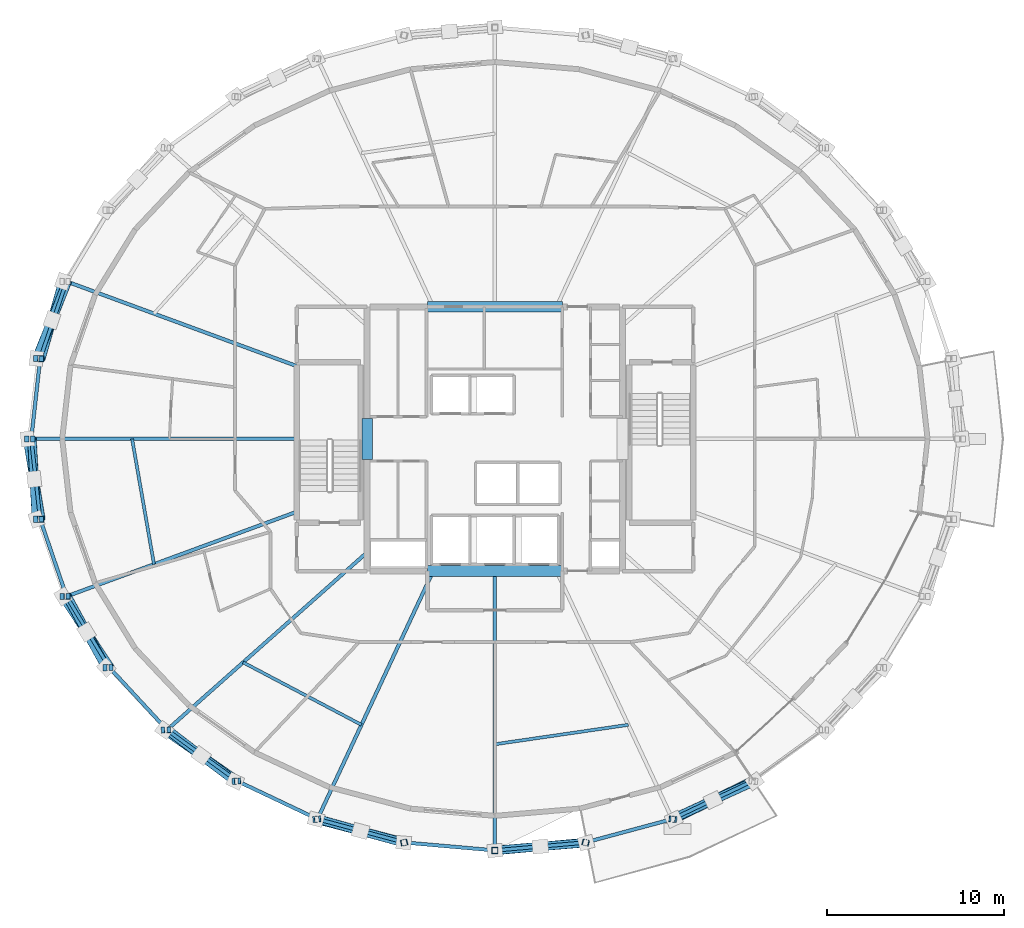
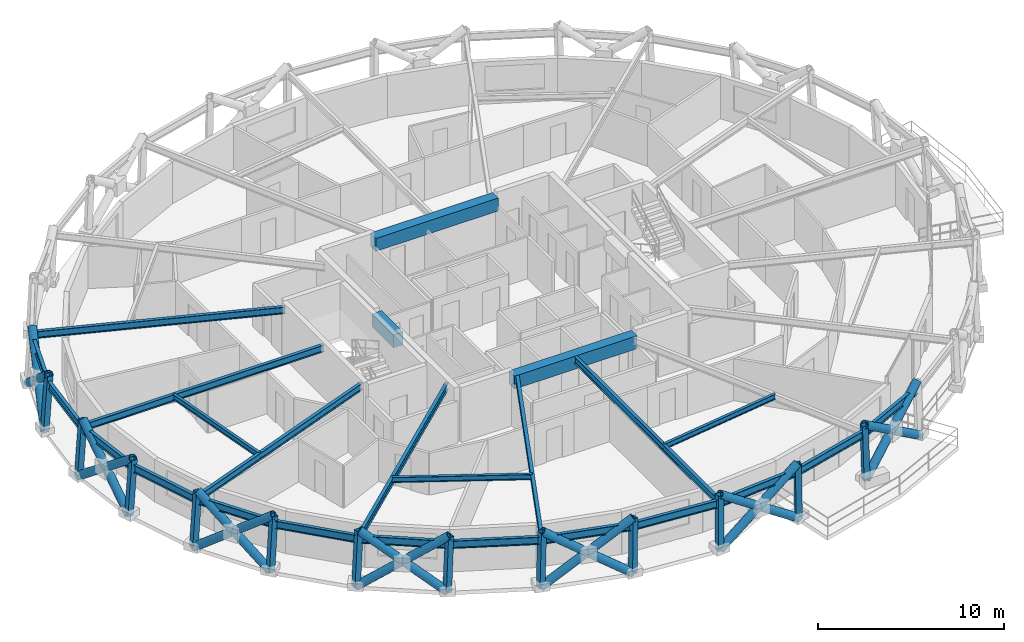
# One storey, part 1 of 14: 33 members, 25 beams.
"""IFC4 building model written with IfcOpenShell, lengths in metres."""

from ifc_helpers import new_model, si_unit, direction, frame, origin, origin_2d, place, context, subcontext, project, spatial, rectangle, hollow_rectangle, hollow_circle, i_section, extrude, material, material_profile, profile_set, type_object, element, save


model = new_model("IFC4")

# Units and contexts
model_context = context("Model", 3, precision=1e-05, world=origin(), true_north=direction((0.0, 1.0)))
body_context = subcontext(model_context, "Body", "Model", "MODEL_VIEW")
ifc_project = project(units=[si_unit("LENGTHUNIT", "METRE"), si_unit("AREAUNIT", "SQUARE_METRE"), si_unit("VOLUMEUNIT", "CUBIC_METRE"), si_unit("PLANEANGLEUNIT", "RADIAN"), si_unit("MASSUNIT", "GRAM", prefix="KILO")], contexts=[model_context])

# Site, building, storey
site_placement = place(None, origin())
site = spatial("IfcSite", under=ifc_project, at=site_placement, CompositionType="ELEMENT")
building_placement = place(site_placement, origin())
building = spatial("IfcBuilding", under=site, at=building_placement, Name="Veldorina Hangang Commons", CompositionType="ELEMENT")
storey_placement = place(building_placement, frame((0.0, 0.0, 200.0)))
storey = spatial("IfcBuildingStorey", under=building, at=storey_placement, Name="L52", CompositionType="ELEMENT", Elevation=200.0)

# Beams
ifc_material_1 = material(Name="Concrete C60/75", Category="concrete")
ifc_material_profile_1 = material_profile(ifc_material_1, rectangle(XDim=0.60009765625, YDim=0.85009765625, at=origin_2d()), Name="RC-CB-600x850")
ifc_profile_set_1 = profile_set([ifc_material_profile_1], Name="Concrete C60/75")
beam_type_1 = type_object("IfcBeamType", Name="BM-CB850", PredefinedType="LINTEL", material=ifc_profile_set_1)
beam_1_placement = place(storey_placement, frame((24.800048828125, 22.85009765625, 2.875), z_axis=(0.0, 1.0, 0.0), x_axis=(-1.0, 0.0, 0.0)))
element("IfcBeam", 1, at=beam_1_placement, inside=storey, type_object=beam_type_1, Name="L52 W core coupling lintel beam", PredefinedType="LINTEL", context=body_context, shape_type="SweptSolid", body=[
    extrude(rectangle(XDim=0.60009765625, YDim=0.85009765625, at=origin_2d()), origin(), (0.0, 0.0, 1.0), 2.2998046875),
])
for number, where, z_axis, x_axis, name in (
    (2, (28.199951171875, 16.550048828125, 2.875), (1.0, 0.0, 0.0), (0.0, 1.0, 0.0), "L52 south core coupling beam"),
    (3, (28.199951171875, 31.449951171875, 2.875), (1.0, 0.0, 0.0), (0.0, 1.0, 0.0), "L52 north core coupling beam"),
):
    element("IfcBeam", number, at=place(storey_placement, frame(where, z_axis=z_axis, x_axis=x_axis)), inside=storey, type_object=beam_type_1, Name=name, PredefinedType="LINTEL", context=body_context, shape_type="SweptSolid", body=[
        extrude(rectangle(XDim=0.60009765625, YDim=0.85009765625, at=origin_2d()), origin(), (0.0, 0.0, 1.0), 7.60009765625),
    ])
ifc_material_2 = material(Name="Steel SM355-TMC", Category="steel")
ifc_material_profile_2 = material_profile(ifc_material_2, i_section(OverallWidth=0.199951171875, OverallDepth=0.449951171875, WebThickness=0.009033203125, FlangeThickness=0.013916015625, FilletRadius=0.01611328125, at=origin_2d()), Name="H-450x200x9x14")
ifc_profile_set_2 = profile_set([ifc_material_profile_2], Name="Steel SM355-TMC")
beam_type_2 = type_object("IfcBeamType", Name="BM-FG450", PredefinedType="BEAM", material=ifc_profile_set_2)
beam_2_placement = place(storey_placement, frame((20.820068359375, 28.110107421875, 3.074951171875), z_axis=(-0.938582002063, 0.345056264113, 0.0), x_axis=(-0.345056264113, -0.938582002063, 0.0)))
element("IfcBeam", 4, at=beam_2_placement, inside=storey, type_object=beam_type_2, Name="L52 radial floor girder 08", PredefinedType="BEAM", context=body_context, shape_type="SweptSolid", body=[
    extrude(i_section(OverallWidth=0.199951171875, OverallDepth=0.449951171875, WebThickness=0.009033203125, FlangeThickness=0.013916015625, FilletRadius=0.01611328125, at=origin_2d()), origin(), (0.0, 0.0, 1.0), 13.823974609375),
])
beam_3_placement = place(storey_placement, frame((20.820068359375, 24.0, 3.074951171875), z_axis=(-1.0, 0.0, 0.0), x_axis=(0.0, -1.0, 0.0)))
element("IfcBeam", 5, at=beam_3_placement, inside=storey, type_object=beam_type_2, Name="L52 radial floor girder 09", PredefinedType="BEAM", context=body_context, shape_type="SweptSolid", body=[
    extrude(i_section(OverallWidth=0.199951171875, OverallDepth=0.449951171875, WebThickness=0.009033203125, FlangeThickness=0.013916015625, FilletRadius=0.01611328125, at=origin_2d()), origin(), (0.0, 0.0, 1.0), 14.965087890625),
])
beam_4_placement = place(storey_placement, frame((20.820068359375, 19.889892578125, 3.074951171875), z_axis=(-0.938582002063, -0.345056264113, 0.0), x_axis=(0.345056264113, -0.938582002063, 0.0)))
element("IfcBeam", 6, at=beam_4_placement, inside=storey, type_object=beam_type_2, Name="L52 radial floor girder 10", PredefinedType="BEAM", context=body_context, shape_type="SweptSolid", body=[
    extrude(i_section(OverallWidth=0.199951171875, OverallDepth=0.449951171875, WebThickness=0.009033203125, FlangeThickness=0.013916015625, FilletRadius=0.01611328125, at=origin_2d()), origin(), (0.0, 0.0, 1.0), 13.823974609375),
])
beam_5_placement = place(storey_placement, frame((24.800048828125, 17.609619140625, 3.074951171875), z_axis=(-0.747915165692, -0.663794324267, 0.0), x_axis=(0.663794324267, -0.747915165692, 0.0)))
element("IfcBeam", 7, at=beam_5_placement, inside=storey, type_object=beam_type_2, Name="L52 radial floor girder 11", PredefinedType="BEAM", context=body_context, shape_type="SweptSolid", body=[
    extrude(i_section(OverallWidth=0.199951171875, OverallDepth=0.449951171875, WebThickness=0.009033203125, FlangeThickness=0.013916015625, FilletRadius=0.01611328125, at=origin_2d()), origin(), (0.0, 0.0, 1.0), 15.091796875),
])
beam_6_placement = place(storey_placement, frame((28.523193359375, 16.550048828125, 3.074951171875), z_axis=(-0.422916633898, -0.906168594011, 0.0), x_axis=(0.906168594011, -0.422916633898, 0.0)))
element("IfcBeam", 8, at=beam_6_placement, inside=storey, type_object=beam_type_2, Name="L52 radial floor girder 12", PredefinedType="BEAM", context=body_context, shape_type="SweptSolid", body=[
    extrude(i_section(OverallWidth=0.199951171875, OverallDepth=0.449951171875, WebThickness=0.009033203125, FlangeThickness=0.013916015625, FilletRadius=0.01611328125, at=origin_2d()), origin(), (0.0, 0.0, 1.0), 15.43701171875),
])
beam_7_placement = place(storey_placement, frame((32.0, 16.550048828125, 3.074951171875), z_axis=(0.0, -1.0, 0.0), x_axis=(1.0, 0.0, 0.0)))
element("IfcBeam", 9, at=beam_7_placement, inside=storey, type_object=beam_type_2, Name="L52 radial floor girder 13", PredefinedType="BEAM", context=body_context, shape_type="SweptSolid", body=[
    extrude(i_section(OverallWidth=0.199951171875, OverallDepth=0.449951171875, WebThickness=0.009033203125, FlangeThickness=0.013916015625, FilletRadius=0.01611328125, at=origin_2d()), origin(), (0.0, 0.0, 1.0), 15.7548828125),
])
ifc_material_profile_3 = material_profile(ifc_material_2, i_section(OverallWidth=0.175048828125, OverallDepth=0.35009765625, WebThickness=0.007080078125, FlangeThickness=0.010986328125, FilletRadius=0.012939453125, at=origin_2d()), Name="H-350x175x7x11")
ifc_profile_set_3 = profile_set([ifc_material_profile_3], Name="Steel SM355-TMC")
beam_type_3 = type_object("IfcBeamType", Name="BM-JST350", PredefinedType="JOIST", material=ifc_profile_set_3)
beam_8_placement = place(storey_placement, frame((11.541748046875, 24.0, 3.125), z_axis=(0.171987394841, -0.985099150348, 0.0), x_axis=(0.985099150348, 0.171987394841, 0.0)))
element("IfcBeam", 10, at=beam_8_placement, inside=storey, type_object=beam_type_3, Name="L52 secondary floor joist 09", PredefinedType="JOIST", context=body_context, shape_type="SweptSolid", body=[
    extrude(i_section(OverallWidth=0.175048828125, OverallDepth=0.35009765625, WebThickness=0.007080078125, FlangeThickness=0.010986328125, FilletRadius=0.012939453125, at=origin_2d()), origin(), (0.0, 0.0, 1.0), 7.17431640625),
])
beam_9_placement = place(storey_placement, frame((17.802001953125, 11.3984375, 3.125), z_axis=(0.884435575108, -0.466662312046, 0.0), x_axis=(0.466662312046, 0.884435575108, 0.0)))
element("IfcBeam", 11, at=beam_9_placement, inside=storey, type_object=beam_type_3, Name="L52 secondary floor joist 11", PredefinedType="JOIST", context=body_context, shape_type="SweptSolid", body=[
    extrude(i_section(OverallWidth=0.175048828125, OverallDepth=0.35009765625, WebThickness=0.007080078125, FlangeThickness=0.010986328125, FilletRadius=0.012939453125, at=origin_2d()), origin(), (0.0, 0.0, 1.0), 7.545654296875),
])
beam_10_placement = place(storey_placement, frame((32.0, 6.781982421875, 3.125), z_axis=(0.989572298208, 0.144037032114, 0.0), x_axis=(-0.144037032114, 0.989572298208, 0.0)))
element("IfcBeam", 12, at=beam_10_placement, inside=storey, type_object=beam_type_3, Name="L52 secondary floor joist 13", PredefinedType="JOIST", context=body_context, shape_type="SweptSolid", body=[
    extrude(i_section(OverallWidth=0.175048828125, OverallDepth=0.35009765625, WebThickness=0.007080078125, FlangeThickness=0.010986328125, FilletRadius=0.012939453125, at=origin_2d()), origin(), (0.0, 0.0, 1.0), 7.603759765625),
])
ifc_material_3 = material(Name="Steel SM420-TMC", Category="steel")
ifc_material_profile_4 = material_profile(ifc_material_3, i_section(OverallWidth=0.199951171875, OverallDepth=0.5, WebThickness=0.010009765625, FlangeThickness=0.01611328125, FilletRadius=0.01611328125, at=origin_2d()), Name="H-500x200x10x16")
ifc_profile_set_4 = profile_set([ifc_material_profile_4], Name="Steel SM420-TMC")
beam_type_4 = type_object("IfcBeamType", Name="BM-RB500", PredefinedType="BEAM", material=ifc_profile_set_4)
beam_11_placement = place(storey_placement, frame((7.84521484375, 32.880126953125, 3.050048828125), z_axis=(-0.323415104722, -0.946257190217, 0.0), x_axis=(0.946257190217, -0.323415104722, 0.0)))
element("IfcBeam", 13, at=beam_11_placement, inside=storey, type_object=beam_type_4, Name="L52 perimeter hoop ring beam 14", PredefinedType="BEAM", context=body_context, shape_type="SweptSolid", body=[
    extrude(i_section(OverallWidth=0.199951171875, OverallDepth=0.5, WebThickness=0.010009765625, FlangeThickness=0.01611328125, FilletRadius=0.01611328125, at=origin_2d()), origin(), (0.0, 0.0, 1.0), 4.600341796875),
])
for number, where, z_axis, x_axis, name in (
    (14, (6.357421875, 28.527099609375, 3.050048828125), (-0.110307984671, -0.993897453723, 0.0), (0.993897453723, -0.110307984671, 0.0), "L52 perimeter hoop ring beam 15"),
    (15, (5.85498046875, 24.0, 3.050048828125), (0.110307984671, -0.993897453723, 0.0), (0.993897453723, 0.110307984671, 0.0), "L52 perimeter hoop ring beam 16"),
):
    element("IfcBeam", number, at=place(storey_placement, frame(where, z_axis=z_axis, x_axis=x_axis)), inside=storey, type_object=beam_type_4, Name=name, PredefinedType="BEAM", context=body_context, shape_type="SweptSolid", body=[
        extrude(i_section(OverallWidth=0.199951171875, OverallDepth=0.5, WebThickness=0.010009765625, FlangeThickness=0.01611328125, FilletRadius=0.01611328125, at=origin_2d()), origin(), (0.0, 0.0, 1.0), 4.554931640625),
    ])
beam_12_placement = place(storey_placement, frame((6.357421875, 19.472900390625, 3.050048828125), z_axis=(0.323415104722, -0.946257190217, 0.0), x_axis=(0.946257190217, 0.323415104722, 0.0)))
element("IfcBeam", 16, at=beam_12_placement, inside=storey, type_object=beam_type_4, Name="L52 perimeter hoop ring beam 17", PredefinedType="BEAM", context=body_context, shape_type="SweptSolid", body=[
    extrude(i_section(OverallWidth=0.199951171875, OverallDepth=0.5, WebThickness=0.010009765625, FlangeThickness=0.01611328125, FilletRadius=0.01611328125, at=origin_2d()), origin(), (0.0, 0.0, 1.0), 4.600341796875),
])
beam_13_placement = place(storey_placement, frame((7.84521484375, 15.119873046875, 3.050048828125), z_axis=(0.51590571016, -0.856645374834, 0.0), x_axis=(0.856645374834, 0.51590571016, 0.0)))
element("IfcBeam", 17, at=beam_13_placement, inside=storey, type_object=beam_type_4, Name="L52 perimeter hoop ring beam 18", PredefinedType="BEAM", context=body_context, shape_type="SweptSolid", body=[
    extrude(i_section(OverallWidth=0.199951171875, OverallDepth=0.5, WebThickness=0.010009765625, FlangeThickness=0.01611328125, FilletRadius=0.01611328125, at=origin_2d()), origin(), (0.0, 0.0, 1.0), 4.68310546875),
])
beam_14_placement = place(storey_placement, frame((10.26123046875, 11.108154296875, 3.050048828125), z_axis=(0.678910794027, -0.734220766359, 0.0), x_axis=(0.734220766359, 0.678910794027, 0.0)))
element("IfcBeam", 18, at=beam_14_placement, inside=storey, type_object=beam_type_4, Name="L52 perimeter hoop ring beam 19", PredefinedType="BEAM", context=body_context, shape_type="SweptSolid", body=[
    extrude(i_section(OverallWidth=0.199951171875, OverallDepth=0.5, WebThickness=0.010009765625, FlangeThickness=0.01611328125, FilletRadius=0.01611328125, at=origin_2d()), origin(), (0.0, 0.0, 1.0), 4.789306640625),
])
beam_15_placement = place(storey_placement, frame((13.5126953125, 7.591796875, 3.050048828125), z_axis=(0.808289999855, -0.58878457532, 0.0), x_axis=(0.58878457532, 0.808289999855, 0.0)))
element("IfcBeam", 19, at=beam_15_placement, inside=storey, type_object=beam_type_4, Name="L52 perimeter hoop ring beam 20", PredefinedType="BEAM", context=body_context, shape_type="SweptSolid", body=[
    extrude(i_section(OverallWidth=0.199951171875, OverallDepth=0.5, WebThickness=0.010009765625, FlangeThickness=0.01611328125, FilletRadius=0.01611328125, at=origin_2d()), origin(), (0.0, 0.0, 1.0), 4.901611328125),
])
beam_16_placement = place(storey_placement, frame((17.474609375, 4.705810546875, 3.050048828125), z_axis=(0.903488274153, -0.428612807167, 0.0), x_axis=(0.428612807167, 0.903488274153, 0.0)))
element("IfcBeam", 20, at=beam_16_placement, inside=storey, type_object=beam_type_4, Name="L52 perimeter hoop ring beam 21", PredefinedType="BEAM", context=body_context, shape_type="SweptSolid", body=[
    extrude(i_section(OverallWidth=0.199951171875, OverallDepth=0.5, WebThickness=0.010009765625, FlangeThickness=0.01611328125, FilletRadius=0.01611328125, at=origin_2d()), origin(), (0.0, 0.0, 1.0), 5.0029296875),
])
beam_17_placement = place(storey_placement, frame((21.99462890625, 2.5615234375, 3.050048828125), z_axis=(0.965613902216, -0.259980368197, 0.0), x_axis=(0.259980368197, 0.965613902216, 0.0)))
element("IfcBeam", 21, at=beam_17_placement, inside=storey, type_object=beam_type_4, Name="L52 perimeter hoop ring beam 22", PredefinedType="BEAM", context=body_context, shape_type="SweptSolid", body=[
    extrude(i_section(OverallWidth=0.199951171875, OverallDepth=0.5, WebThickness=0.010009765625, FlangeThickness=0.01611328125, FilletRadius=0.01611328125, at=origin_2d()), origin(), (0.0, 0.0, 1.0), 5.079345703125),
])
for number, where, z_axis, x_axis, name in (
    (22, (26.8994140625, 1.240966796875, 3.050048828125), (0.996202201, -0.087069941558, 0.0), (0.087069941558, 0.996202201, 0.0), "L52 perimeter hoop ring beam 23"),
    (23, (32.0, 0.795166015625, 3.050048828125), (0.996202201, 0.087069941558, 0.0), (-0.087069941558, 0.996202201, 0.0), "L52 perimeter hoop ring beam 24"),
):
    element("IfcBeam", number, at=place(storey_placement, frame(where, z_axis=z_axis, x_axis=x_axis)), inside=storey, type_object=beam_type_4, Name=name, PredefinedType="BEAM", context=body_context, shape_type="SweptSolid", body=[
        extrude(i_section(OverallWidth=0.199951171875, OverallDepth=0.5, WebThickness=0.010009765625, FlangeThickness=0.01611328125, FilletRadius=0.01611328125, at=origin_2d()), origin(), (0.0, 0.0, 1.0), 5.1201171875),
    ])
beam_18_placement = place(storey_placement, frame((37.1005859375, 1.240966796875, 3.050048828125), z_axis=(0.965613902216, 0.259980368197, 0.0), x_axis=(-0.259980368197, 0.965613902216, 0.0)))
element("IfcBeam", 24, at=beam_18_placement, inside=storey, type_object=beam_type_4, Name="L52 perimeter hoop ring beam 25", PredefinedType="BEAM", context=body_context, shape_type="SweptSolid", body=[
    extrude(i_section(OverallWidth=0.199951171875, OverallDepth=0.5, WebThickness=0.010009765625, FlangeThickness=0.01611328125, FilletRadius=0.01611328125, at=origin_2d()), origin(), (0.0, 0.0, 1.0), 5.079345703125),
])
beam_19_placement = place(storey_placement, frame((42.00537109375, 2.5615234375, 3.050048828125), z_axis=(0.903488274153, 0.428612807167, 0.0), x_axis=(-0.428612807167, 0.903488274153, 0.0)))
element("IfcBeam", 25, at=beam_19_placement, inside=storey, type_object=beam_type_4, Name="L52 perimeter hoop ring beam 26", PredefinedType="BEAM", context=body_context, shape_type="SweptSolid", body=[
    extrude(i_section(OverallWidth=0.199951171875, OverallDepth=0.5, WebThickness=0.010009765625, FlangeThickness=0.01611328125, FilletRadius=0.01611328125, at=origin_2d()), origin(), (0.0, 0.0, 1.0), 5.0029296875),
])

# Members
ifc_material_profile_5 = material_profile(ifc_material_3, hollow_circle(Radius=0.25, WallThickness=0.02490234375, at=origin_2d()), Name="CHS-500x25")
ifc_profile_set_5 = profile_set([ifc_material_profile_5], Name="Steel SM420-TMC")
member_type_1 = type_object("IfcMemberType", Name="DG-CHS500", PredefinedType="BRACE", material=ifc_profile_set_5)
member_1_placement = place(storey_placement, frame((7.64599609375, 32.884033203125, 0.0), z_axis=(-0.21601423518, -0.752718092443, 0.621894945717), x_axis=(0.961202193743, -0.275844780163, 0.0)))
element("IfcMember", 26, at=member_1_placement, inside=storey, type_object=member_type_1, Name="L52 continuous perimeter diagrid brace 14", PredefinedType="BRACE", context=body_context, shape_type="SweptSolid", body=[
    extrude(hollow_circle(Radius=0.25, WallThickness=0.02490234375, at=origin_2d()), origin(), (0.0, 0.0, 1.0), 5.788818359375),
])
member_2_placement = place(storey_placement, frame((6.14599609375, 28.529052734375, 0.0), z_axis=(0.295747565134, 0.735693747616, 0.609334134475), x_axis=(-0.927836003007, 0.372988406687, 0.0)))
element("IfcMember", 27, at=member_2_placement, inside=storey, type_object=member_type_1, Name="L52 split perimeter diagrid lower brace 15", PredefinedType="BRACE", context=body_context, shape_type="SweptSolid", body=[
    extrude(hollow_circle(Radius=0.25, WallThickness=0.02490234375, at=origin_2d()), origin(), (0.0, 0.0, 1.0), 2.9560546875),
])
member_3_placement = place(storey_placement, frame((7.020263671875, 30.703857421875, 1.80126953125), z_axis=(0.291687977137, 0.73716153269, 0.609517020858), x_axis=(-0.929851986955, 0.367933801594, 0.0)))
element("IfcMember", 28, at=member_3_placement, inside=storey, type_object=member_type_1, Name="L52 split perimeter diagrid upper brace 15", PredefinedType="BRACE", context=body_context, shape_type="SweptSolid", body=[
    extrude(hollow_circle(Radius=0.25, WallThickness=0.02490234375, at=origin_2d()), origin(), (0.0, 0.0, 1.0), 2.951171875),
])
member_4_placement = place(storey_placement, frame((5.639404296875, 24.0, 0.0), z_axis=(0.129627597186, -0.776049492873, 0.617206505685), x_axis=(0.986334911836, 0.164752668246, 0.0)))
element("IfcMember", 29, at=member_4_placement, inside=storey, type_object=member_type_1, Name="L52 continuous perimeter diagrid brace 16", PredefinedType="BRACE", context=body_context, shape_type="SweptSolid", body=[
    extrude(hollow_circle(Radius=0.25, WallThickness=0.02490234375, at=origin_2d()), origin(), (0.0, 0.0, 1.0), 5.8330078125),
])
member_5_placement = place(storey_placement, frame((6.14599609375, 19.470947265625, 0.0), z_axis=(-0.044339659535, 0.782013348867, 0.621682488724), x_axis=(-0.998396456351, -0.056608444113, 0.0)))
element("IfcMember", 30, at=member_5_placement, inside=storey, type_object=member_type_1, Name="L52 split perimeter diagrid lower brace 17", PredefinedType="BRACE", context=body_context, shape_type="SweptSolid", body=[
    extrude(hollow_circle(Radius=0.25, WallThickness=0.02490234375, at=origin_2d()), origin(), (0.0, 0.0, 1.0), 2.896240234375),
])
member_6_placement = place(storey_placement, frame((6.017578125, 21.73583984375, 1.800537109375), z_axis=(-0.042758438642, 0.782133648841, 0.621641915636), x_axis=(-0.998508993316, -0.054587455209, 0.0)))
element("IfcMember", 31, at=member_6_placement, inside=storey, type_object=member_type_1, Name="L52 split perimeter diagrid upper brace 17", PredefinedType="BRACE", context=body_context, shape_type="SweptSolid", body=[
    extrude(hollow_circle(Radius=0.25, WallThickness=0.02490234375, at=origin_2d()), origin(), (0.0, 0.0, 1.0), 2.894775390625),
])
member_7_placement = place(storey_placement, frame((7.64599609375, 15.115966796875, 0.0), z_axis=(0.44112626303, -0.667567010498, 0.599801555983), x_axis=(0.834303588325, 0.551305289751, 0.0)))
element("IfcMember", 32, at=member_7_placement, inside=storey, type_object=member_type_1, Name="L52 continuous perimeter diagrid brace 18", PredefinedType="BRACE", context=body_context, shape_type="SweptSolid", body=[
    extrude(hollow_circle(Radius=0.25, WallThickness=0.02490234375, at=origin_2d()), origin(), (0.0, 0.0, 1.0), 6.002197265625),
])
member_8_placement = place(storey_placement, frame((10.08203125, 11.102294921875, 0.0), z_axis=(-0.380577054086, 0.688017708596, 0.617893792298), x_axis=(-0.87504938824, -0.484033643604, 0.0)))
element("IfcMember", 33, at=member_8_placement, inside=storey, type_object=member_type_1, Name="L52 split perimeter diagrid lower brace 19", PredefinedType="BRACE", context=body_context, shape_type="SweptSolid", body=[
    extrude(hollow_circle(Radius=0.25, WallThickness=0.02490234375, at=origin_2d()), origin(), (0.0, 0.0, 1.0), 2.91748046875),
])
member_9_placement = place(storey_placement, frame((8.9716796875, 13.109619140625, 1.802734375), z_axis=(-0.374860594204, 0.691230515885, 0.617802483665), x_axis=(-0.879055354422, -0.476719712056, 0.0)))
element("IfcMember", 34, at=member_9_placement, inside=storey, type_object=member_type_1, Name="L52 split perimeter diagrid upper brace 19", PredefinedType="BRACE", context=body_context, shape_type="SweptSolid", body=[
    extrude(hollow_circle(Radius=0.25, WallThickness=0.02490234375, at=origin_2d()), origin(), (0.0, 0.0, 1.0), 2.9091796875),
])
member_10_placement = place(storey_placement, frame((13.3603515625, 7.58447265625, 0.0), z_axis=(0.667907771076, -0.464617778888, 0.581403069202), x_axis=(0.571053129357, 0.820913103472, 0.0)))
element("IfcMember", 35, at=member_10_placement, inside=storey, type_object=member_type_1, Name="L52 continuous perimeter diagrid brace 20", PredefinedType="BRACE", context=body_context, shape_type="SweptSolid", body=[
    extrude(hollow_circle(Radius=0.25, WallThickness=0.02490234375, at=origin_2d()), origin(), (0.0, 0.0, 1.0), 6.192138671875),
])
member_11_placement = place(storey_placement, frame((17.35498046875, 4.697265625, 0.0), z_axis=(-0.638835697702, 0.480426540718, 0.600898735491), x_axis=(-0.601040184156, -0.799218804227, 0.0)))
element("IfcMember", 36, at=member_11_placement, inside=storey, type_object=member_type_1, Name="L52 split perimeter diagrid lower brace 21", PredefinedType="BRACE", context=body_context, shape_type="SweptSolid", body=[
    extrude(hollow_circle(Radius=0.25, WallThickness=0.02490234375, at=origin_2d()), origin(), (0.0, 0.0, 1.0), 3.00537109375),
])
member_12_placement = place(storey_placement, frame((15.43505859375, 6.14111328125, 1.805908203125), z_axis=(-0.634513205791, 0.486206678887, 0.600829474212), x_axis=(-0.608231840434, -0.793759427208, 0.0)))
element("IfcMember", 37, at=member_12_placement, inside=storey, type_object=member_type_1, Name="L52 split perimeter diagrid upper brace 21", PredefinedType="BRACE", context=body_context, shape_type="SweptSolid", body=[
    extrude(hollow_circle(Radius=0.25, WallThickness=0.02490234375, at=origin_2d()), origin(), (0.0, 0.0, 1.0), 2.986083984375),
])
member_13_placement = place(storey_placement, frame((21.912353515625, 2.552001953125, 0.0), z_axis=(0.793491103879, -0.207972397057, 0.571943485082), x_axis=(0.253534274039, 0.967326404006, 0.0)))
element("IfcMember", 38, at=member_13_placement, inside=storey, type_object=member_type_1, Name="L52 continuous perimeter diagrid brace 22", PredefinedType="BRACE", context=body_context, shape_type="SweptSolid", body=[
    extrude(hollow_circle(Radius=0.25, WallThickness=0.02490234375, at=origin_2d()), origin(), (0.0, 0.0, 1.0), 6.29443359375),
])
member_14_placement = place(storey_placement, frame((26.857421875, 1.23095703125, 0.0), z_axis=(-0.784511377359, 0.213578899026, 0.582173473018), x_axis=(-0.262683799607, -0.964881972794, 0.0)))
element("IfcMember", 39, at=member_14_placement, inside=storey, type_object=member_type_1, Name="L52 split perimeter diagrid lower brace 23", PredefinedType="BRACE", context=body_context, shape_type="SweptSolid", body=[
    extrude(hollow_circle(Radius=0.25, WallThickness=0.02490234375, at=origin_2d()), origin(), (0.0, 0.0, 1.0), 3.105712890625),
])
member_15_placement = place(storey_placement, frame((24.4208984375, 1.894287109375, 1.80810546875), z_axis=(-0.783449003319, 0.21733828785, 0.5822127857), x_axis=(-0.267316781842, -0.963608705931, 0.0)))
element("IfcMember", 40, at=member_15_placement, inside=storey, type_object=member_type_1, Name="L52 split perimeter diagrid upper brace 23", PredefinedType="BRACE", context=body_context, shape_type="SweptSolid", body=[
    extrude(hollow_circle(Radius=0.25, WallThickness=0.02490234375, at=origin_2d()), origin(), (0.0, 0.0, 1.0), 3.077880859375),
])
member_16_placement = place(storey_placement, frame((32.0, 0.784912109375, 0.0), z_axis=(0.814395078909, 0.073237388813, 0.575670861109), x_axis=(-0.089567132785, 0.995980787327, 0.0)))
element("IfcMember", 41, at=member_16_placement, inside=storey, type_object=member_type_1, Name="L52 continuous perimeter diagrid brace 24", PredefinedType="BRACE", context=body_context, shape_type="SweptSolid", body=[
    extrude(hollow_circle(Radius=0.25, WallThickness=0.02490234375, at=origin_2d()), origin(), (0.0, 0.0, 1.0), 6.253662109375),
])
member_17_placement = place(storey_placement, frame((37.142578125, 1.23095703125, 0.0), z_axis=(-0.817319802631, -0.068348107845, 0.572116138892), x_axis=(0.083333808433, -0.996521688862, 0.0)))
element("IfcMember", 42, at=member_17_placement, inside=storey, type_object=member_type_1, Name="L52 split perimeter diagrid lower brace 25", PredefinedType="BRACE", context=body_context, shape_type="SweptSolid", body=[
    extrude(hollow_circle(Radius=0.25, WallThickness=0.02490234375, at=origin_2d()), origin(), (0.0, 0.0, 1.0), 3.1611328125),
])
member_18_placement = place(storey_placement, frame((34.558837890625, 1.014892578125, 1.80859375), z_axis=(-0.817200559381, -0.069548983777, 0.572141752193), x_axis=(0.084799830401, -0.996398007206, 0.0)))
element("IfcMember", 43, at=member_18_placement, inside=storey, type_object=member_type_1, Name="L52 split perimeter diagrid upper brace 25", PredefinedType="BRACE", context=body_context, shape_type="SweptSolid", body=[
    extrude(hollow_circle(Radius=0.25, WallThickness=0.02490234375, at=origin_2d()), origin(), (0.0, 0.0, 1.0), 3.131103515625),
])
member_19_placement = place(storey_placement, frame((42.087646484375, 2.552001953125, 0.0), z_axis=(0.724948778967, 0.353837844519, 0.590972120883), x_axis=(-0.438628191202, 0.898668631856, 0.0)))
element("IfcMember", 44, at=member_19_placement, inside=storey, type_object=member_type_1, Name="L52 continuous perimeter diagrid brace 26", PredefinedType="BRACE", context=body_context, shape_type="SweptSolid", body=[
    extrude(hollow_circle(Radius=0.25, WallThickness=0.02490234375, at=origin_2d()), origin(), (0.0, 0.0, 1.0), 6.091796875),
])
member_20_placement = place(storey_placement, frame((46.64501953125, 4.697265625, 0.0), z_axis=(-0.74481018092, -0.338373496548, 0.575118397577), x_axis=(0.41362404162, -0.910447775654, 0.0)))
element("IfcMember", 45, at=member_20_placement, inside=storey, type_object=member_type_1, Name="L52 split perimeter diagrid lower brace 27", PredefinedType="BRACE", context=body_context, shape_type="SweptSolid", body=[
    extrude(hollow_circle(Radius=0.25, WallThickness=0.02490234375, at=origin_2d()), origin(), (0.0, 0.0, 1.0), 3.14208984375),
])
member_21_placement = place(storey_placement, frame((44.3046875, 3.634033203125, 1.80712890625), z_axis=(-0.742400721338, -0.343514037745, 0.575186295759), x_axis=(0.419932287497, -0.907555438482, 0.0)))
element("IfcMember", 46, at=member_21_placement, inside=storey, type_object=member_type_1, Name="L52 split perimeter diagrid upper brace 27", PredefinedType="BRACE", context=body_context, shape_type="SweptSolid", body=[
    extrude(hollow_circle(Radius=0.25, WallThickness=0.02490234375, at=origin_2d()), origin(), (0.0, 0.0, 1.0), 3.1171875),
])
ifc_material_profile_6 = material_profile(ifc_material_2, hollow_rectangle(XDim=0.35009765625, YDim=0.35009765625, WallThickness=0.01611328125, at=origin_2d()), Name="SHS-350x350x16")
ifc_profile_set_6 = profile_set([ifc_material_profile_6], Name="Steel SM355-TMC")
member_type_2 = type_object("IfcMemberType", Name="STR-SHS350", PredefinedType="STRUT", material=ifc_profile_set_6)
member_22_placement = place(storey_placement, frame((6.14599609375, 28.529052734375, 0.0), z_axis=(0.069141055943, -0.000676526966, 0.997606664319), x_axis=(0.009784267445, 0.99995213291, 0.0)))
element("IfcMember", 47, at=member_22_placement, inside=storey, type_object=member_type_2, Name="L52 perimeter ring node post 15", PredefinedType="STRUT", context=body_context, shape_type="SweptSolid", body=[
    extrude(hollow_rectangle(XDim=0.35009765625, YDim=0.35009765625, WallThickness=0.01611328125, at=origin_2d()), origin(), (0.0, 0.0, 1.0), 3.608642578125),
])
member_23_placement = place(storey_placement, frame((5.639404296875, 24.0, 0.0), z_axis=(0.070487467582, 0.0, 0.997512665039), x_axis=(0.0, 1.0, 0.0)))
element("IfcMember", 48, at=member_23_placement, inside=storey, type_object=member_type_2, Name="L52 perimeter ring node post 16", PredefinedType="STRUT", context=body_context, shape_type="SweptSolid", body=[
    extrude(hollow_rectangle(XDim=0.35009765625, YDim=0.35009765625, WallThickness=0.01611328125, at=origin_2d()), origin(), (0.0, 0.0, 1.0), 3.609130859375),
])
member_24_placement = place(storey_placement, frame((6.14599609375, 19.470947265625, 0.0), z_axis=(0.069141055943, 0.000676526966, 0.997606664319), x_axis=(-0.009784267445, 0.99995213291, 0.0)))
element("IfcMember", 49, at=member_24_placement, inside=storey, type_object=member_type_2, Name="L52 perimeter ring node post 17", PredefinedType="STRUT", context=body_context, shape_type="SweptSolid", body=[
    extrude(hollow_rectangle(XDim=0.35009765625, YDim=0.35009765625, WallThickness=0.01611328125, at=origin_2d()), origin(), (0.0, 0.0, 1.0), 3.608642578125),
])
member_25_placement = place(storey_placement, frame((7.64599609375, 15.115966796875, 0.0), z_axis=(0.065166975722, 0.001285745108, 0.997873545162), x_axis=(-0.019726171322, 0.999805420152, 0.0)))
element("IfcMember", 50, at=member_25_placement, inside=storey, type_object=member_type_2, Name="L52 perimeter ring node post 18", PredefinedType="STRUT", context=body_context, shape_type="SweptSolid", body=[
    extrude(hollow_rectangle(XDim=0.35009765625, YDim=0.35009765625, WallThickness=0.01611328125, at=origin_2d()), origin(), (0.0, 0.0, 1.0), 3.607666015625),
])
member_26_placement = place(storey_placement, frame((10.08203125, 11.102294921875, 0.0), z_axis=(0.058694136922, 0.001895543061, 0.998274213434), x_axis=(-0.032278442478, 0.999478915311, 0.0)))
element("IfcMember", 51, at=member_26_placement, inside=storey, type_object=member_type_2, Name="L52 perimeter ring node post 19", PredefinedType="STRUT", context=body_context, shape_type="SweptSolid", body=[
    extrude(hollow_rectangle(XDim=0.35009765625, YDim=0.35009765625, WallThickness=0.01611328125, at=origin_2d()), origin(), (0.0, 0.0, 1.0), 3.606201171875),
])
member_27_placement = place(storey_placement, frame((13.3603515625, 7.58447265625, 0.0), z_axis=(0.04991720821, 0.002370559413, 0.998750545818), x_axis=(-0.047436362516, 0.998874262113, 0.0)))
element("IfcMember", 52, at=member_27_placement, inside=storey, type_object=member_type_2, Name="L52 perimeter ring node post 20", PredefinedType="STRUT", context=body_context, shape_type="SweptSolid", body=[
    extrude(hollow_rectangle(XDim=0.35009765625, YDim=0.35009765625, WallThickness=0.01611328125, at=origin_2d()), origin(), (0.0, 0.0, 1.0), 3.6044921875),
])
member_28_placement = place(storey_placement, frame((17.35498046875, 4.697265625, 0.0), z_axis=(0.039166835029, 0.002846032995, 0.999228632061), x_axis=(-0.072473278351, 0.997370354445, 0.0)))
element("IfcMember", 53, at=member_28_placement, inside=storey, type_object=member_type_2, Name="L52 perimeter ring node post 21", PredefinedType="STRUT", context=body_context, shape_type="SweptSolid", body=[
    extrude(hollow_rectangle(XDim=0.35009765625, YDim=0.35009765625, WallThickness=0.01611328125, at=origin_2d()), origin(), (0.0, 0.0, 1.0), 3.602783203125),
])
member_29_placement = place(storey_placement, frame((21.912353515625, 2.552001953125, 0.0), z_axis=(0.026980413484, 0.003118339247, 0.99963109858), x_axis=(-0.114813579278, 0.993387055489, 0.0)))
element("IfcMember", 54, at=member_29_placement, inside=storey, type_object=member_type_2, Name="L52 perimeter ring node post 22", PredefinedType="STRUT", context=body_context, shape_type="SweptSolid", body=[
    extrude(hollow_rectangle(XDim=0.35009765625, YDim=0.35009765625, WallThickness=0.01611328125, at=origin_2d()), origin(), (0.0, 0.0, 1.0), 3.601318359375),
])
member_30_placement = place(storey_placement, frame((26.857421875, 1.23095703125, 0.0), z_axis=(0.013765064867, 0.003322601865, 0.999899736627), x_axis=(-0.234640533104, 0.972082208573, 0.0)))
element("IfcMember", 55, at=member_30_placement, inside=storey, type_object=member_type_2, Name="L52 perimeter ring node post 23", PredefinedType="STRUT", context=body_context, shape_type="SweptSolid", body=[
    extrude(hollow_rectangle(XDim=0.35009765625, YDim=0.35009765625, WallThickness=0.01611328125, at=origin_2d()), origin(), (0.0, 0.0, 1.0), 3.600341796875),
])
member_31_placement = place(storey_placement, frame((32.0, 0.784912109375, 0.0), z_axis=(0.0, 0.003390730542, 0.999994251457), x_axis=(-1.0, 0.0, 0.0)))
element("IfcMember", 56, at=member_31_placement, inside=storey, type_object=member_type_2, Name="L52 perimeter ring node post 24", PredefinedType="STRUT", context=body_context, shape_type="SweptSolid", body=[
    extrude(hollow_rectangle(XDim=0.35009765625, YDim=0.35009765625, WallThickness=0.01611328125, at=origin_2d()), origin(), (0.0, 0.0, 1.0), 3.60009765625),
])
member_32_placement = place(storey_placement, frame((37.142578125, 1.23095703125, 0.0), z_axis=(-0.013765064867, 0.003322601865, 0.999899736627), x_axis=(-0.234640533104, -0.972082208573, 0.0)))
element("IfcMember", 57, at=member_32_placement, inside=storey, type_object=member_type_2, Name="L52 perimeter ring node post 25", PredefinedType="STRUT", context=body_context, shape_type="SweptSolid", body=[
    extrude(hollow_rectangle(XDim=0.35009765625, YDim=0.35009765625, WallThickness=0.01611328125, at=origin_2d()), origin(), (0.0, 0.0, 1.0), 3.600341796875),
])
member_33_placement = place(storey_placement, frame((42.087646484375, 2.552001953125, 0.0), z_axis=(-0.026980413484, 0.003118339247, 0.99963109858), x_axis=(-0.114813579278, -0.993387055489, 0.0)))
element("IfcMember", 58, at=member_33_placement, inside=storey, type_object=member_type_2, Name="L52 perimeter ring node post 26", PredefinedType="STRUT", context=body_context, shape_type="SweptSolid", body=[
    extrude(hollow_rectangle(XDim=0.35009765625, YDim=0.35009765625, WallThickness=0.01611328125, at=origin_2d()), origin(), (0.0, 0.0, 1.0), 3.601318359375),
])

save(model, "model.ifc")
